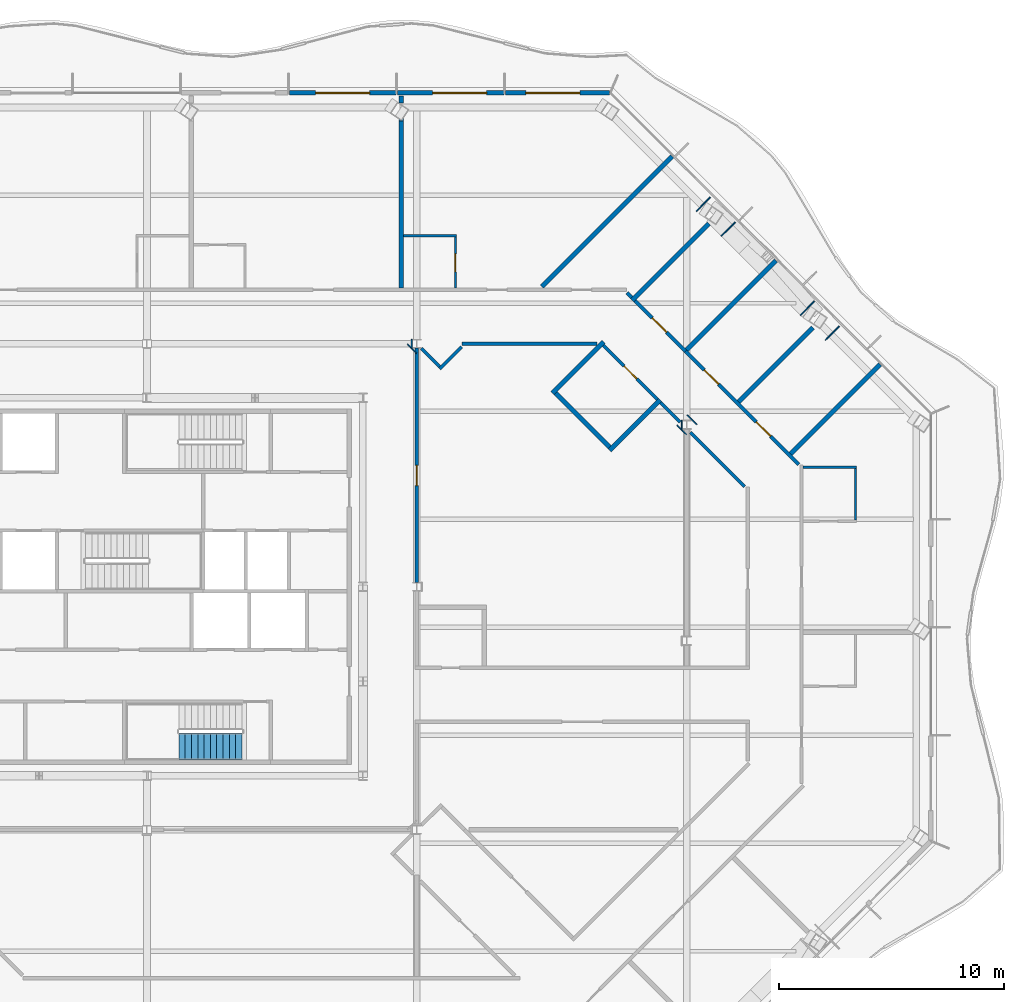
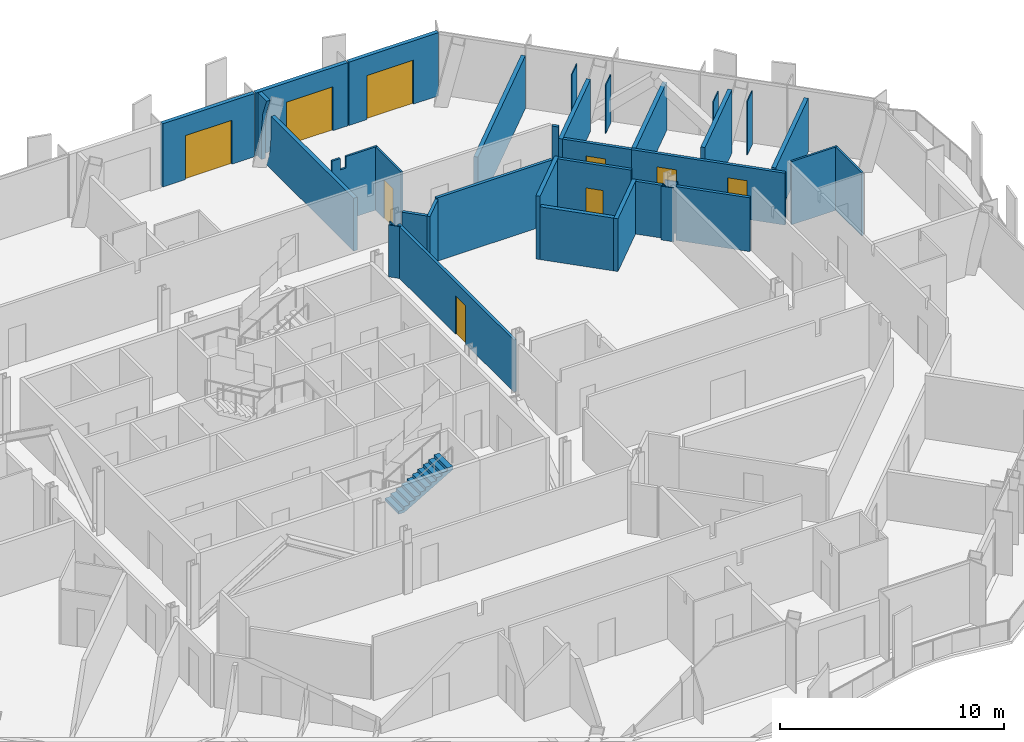
# One storey, part 13 of 19: 36 walls, 9 doors, 1 stair flight, 9 openings, 1 element without a shape of its own.
"""IFC4 building model written with IfcOpenShell, lengths in metres."""

from ifc_helpers import new_model, si_unit, direction, frame, frame_2d, origin, place, context, subcontext, project, spatial, polyline, rectangle, outline, extrude, material, layer, layer_set, type_object, element, fill, aggregate, save


model = new_model("IFC4")

# Units and contexts
model_context = context("Model", 3, precision=1e-05, world=origin(), true_north=direction((0.0, 1.0)))
body_context = subcontext(model_context, "Body", "Model", "MODEL_VIEW")
ifc_project = project(units=[si_unit("LENGTHUNIT", "METRE"), si_unit("AREAUNIT", "SQUARE_METRE"), si_unit("VOLUMEUNIT", "CUBIC_METRE"), si_unit("PLANEANGLEUNIT", "RADIAN"), si_unit("MASSUNIT", "GRAM", prefix="KILO")], contexts=[model_context])

# Site, building, storey
site_placement = place(None, origin())
site = spatial("IfcSite", under=ifc_project, at=site_placement, CompositionType="ELEMENT")
building_placement = place(site_placement, origin())
building = spatial("IfcBuilding", under=site, at=building_placement, Name="Cairn Pilgrim Tower", CompositionType="ELEMENT")
storey_placement = place(building_placement, frame((0.0, 0.0, 193.800048828125)))
storey = spatial("IfcBuildingStorey", under=building, at=storey_placement, Name="L49", CompositionType="ELEMENT", Elevation=193.800048828125)

# Wall, opening, door
ifc_material_1 = material(Name="Bronze anodised aluminium insulated sandwich panel with mineral wool fill", Category="aluminium")
ifc_layer_1 = layer(ifc_material_1, 0.199951171875)
ifc_layer_set_1 = layer_set([ifc_layer_1], Name="BRONZE INFILL FRAME WALL 200")
wall_type_1 = type_object("IfcWallType", Name="BRONZE INFILL FRAME WALL 200", PredefinedType="NOTDEFINED", material=ifc_layer_set_1)
wall_1_placement = place(storey_placement, frame((27.75634765625, 24.35009765625, 0.0), z_axis=(0.0, 0.0, 1.0), x_axis=(-1.0, 0.0, 0.0)))
wall_1 = element("IfcWall", 1, at=wall_1_placement, inside=storey, type_object=wall_type_1, Name="Bronze infill frame wall IW-N1", PredefinedType="NOTDEFINED", context=body_context, shape_type="SweptSolid", body=[
    extrude(rectangle(XDim=4.62646484375, YDim=0.199951171875, at=frame_2d((2.313232421875, 0.0))), origin(), (0.0, 0.0, 1.0), 3.449951171875),
])
opening_1_placement = place(wall_1_placement, frame((1.308349609375, 0.0, 0.0)))
opening_1 = element("IfcOpeningElement", 2, at=opening_1_placement, cuts=wall_1, Name="Opening 4910B", PredefinedType="OPENING", context=body_context, shape_type="SweptSolid", body=[
    extrude(rectangle(XDim=2.39990234375, YDim=2.39990234375, at=frame_2d((1.199951171875, 1.199951171875))), frame((0.0, 0.10986328125, 0.0), z_axis=(0.0, -1.0, 0.0), x_axis=(1.0, 0.0, 0.0)), (0.0, 0.0, 1.0), 0.219970703125),
])
ifc_material_2 = material(Name="Bronze anodised aluminium frame with tinted low-E glass", Category="aluminium")
door_type_1 = type_object("IfcDoorType", Name="BALCONY SLIDING DOOR 2400x2400", OperationType="DOUBLE_DOOR_SLIDING", PredefinedType="DOOR", material=ifc_material_2)
door_1_placement = place(opening_1_placement, origin())
door_1 = element("IfcDoor", 3, at=door_1_placement, inside=storey, type_object=door_type_1, Name="Balcony sliding door 4910B", OperationType="SINGLE_SWING_LEFT", OverallHeight=2.39990234375, OverallWidth=2.39990234375, PredefinedType="DOOR", context=body_context, shape_type="SweptSolid", body=[
    extrude(rectangle(XDim=2.39990234375, YDim=2.39990234375, at=frame_2d((1.199951171875, 1.199951171875))), frame((0.0, 0.02490234375, 0.0), z_axis=(0.0, -1.0, 0.0), x_axis=(1.0, 0.0, 0.0)), (0.0, 0.0, 1.0), 0.050048828125),
])
fill(opening_1, door_1)

wall_2_placement = place(storey_placement, frame((23.070068359375, 24.35009765625, 0.0), z_axis=(0.0, 0.0, 1.0), x_axis=(-1.0, 0.0, 0.0)))
wall_2 = element("IfcWall", 4, at=wall_2_placement, inside=storey, type_object=wall_type_1, Name="Bronze infill frame wall IW-N2", PredefinedType="NOTDEFINED", context=body_context, shape_type="SweptSolid", body=[
    extrude(rectangle(XDim=4.739990234375, YDim=0.199951171875, at=frame_2d((2.3701171875, 0.0))), origin(), (0.0, 0.0, 1.0), 3.449951171875),
])
opening_2_placement = place(wall_2_placement, frame((0.77001953125, 0.0, 0.0)))
opening_2 = element("IfcOpeningElement", 5, at=opening_2_placement, cuts=wall_2, Name="Opening 4910B2", PredefinedType="OPENING", context=body_context, shape_type="SweptSolid", body=[
    extrude(rectangle(XDim=2.39990234375, YDim=2.39990234375, at=frame_2d((1.199951171875, 1.199951171875))), frame((0.0, 0.10986328125, 0.0), z_axis=(0.0, -1.0, 0.0), x_axis=(1.0, 0.0, 0.0)), (0.0, 0.0, 1.0), 0.219970703125),
])
door_2_placement = place(opening_2_placement, origin())
door_2 = element("IfcDoor", 6, at=door_2_placement, inside=storey, type_object=door_type_1, Name="Balcony sliding door 4910B2", OperationType="SINGLE_SWING_LEFT", OverallHeight=2.39990234375, OverallWidth=2.39990234375, PredefinedType="DOOR", context=body_context, shape_type="SweptSolid", body=[
    extrude(rectangle(XDim=2.39990234375, YDim=2.39990234375, at=frame_2d((1.199951171875, 1.199951171875))), frame((0.0, 0.02490234375, 0.0), z_axis=(0.0, -1.0, 0.0), x_axis=(1.0, 0.0, 0.0)), (0.0, 0.0, 1.0), 0.050048828125),
])
fill(opening_2, door_2)

wall_3_placement = place(storey_placement, frame((18.27001953125, 24.35009765625, 0.0), z_axis=(0.0, 0.0, 1.0), x_axis=(-1.0, 0.0, 0.0)))
wall_3 = element("IfcWall", 7, at=wall_3_placement, inside=storey, type_object=wall_type_1, Name="Bronze infill frame wall IW-N3", PredefinedType="NOTDEFINED", context=body_context, shape_type="SweptSolid", body=[
    extrude(rectangle(XDim=4.739990234375, YDim=0.199951171875, at=frame_2d((2.3701171875, 0.0))), origin(), (0.0, 0.0, 1.0), 3.449951171875),
])
opening_3_placement = place(wall_3_placement, frame((1.169921875, 0.0, 0.0)))
opening_3 = element("IfcOpeningElement", 8, at=opening_3_placement, cuts=wall_3, Name="Opening 4911B", PredefinedType="OPENING", context=body_context, shape_type="SweptSolid", body=[
    extrude(rectangle(XDim=2.39990234375, YDim=2.39990234375, at=frame_2d((1.199951171875, 1.199951171875))), frame((0.0, 0.10986328125, 0.0), z_axis=(0.0, -1.0, 0.0), x_axis=(1.0, 0.0, 0.0)), (0.0, 0.0, 1.0), 0.219970703125),
])
door_3_placement = place(opening_3_placement, origin())
door_3 = element("IfcDoor", 9, at=door_3_placement, inside=storey, type_object=door_type_1, Name="Balcony sliding door 4911B", OperationType="SINGLE_SWING_LEFT", OverallHeight=2.39990234375, OverallWidth=2.39990234375, PredefinedType="DOOR", context=body_context, shape_type="SweptSolid", body=[
    extrude(rectangle(XDim=2.39990234375, YDim=2.39990234375, at=frame_2d((1.199951171875, 1.199951171875))), frame((0.0, 0.02490234375, 0.0), z_axis=(0.0, -1.0, 0.0), x_axis=(1.0, 0.0, 0.0)), (0.0, 0.0, 1.0), 0.050048828125),
])
fill(opening_3, door_3)

# Walls
ifc_material_3 = material(Name="Gypsum partition")
ifc_layer_2 = layer(ifc_material_3, 0.10009765625)
ifc_layer_set_2 = layer_set([ifc_layer_2], Name="PARTITION 100 DRYWALL")
wall_type_2 = type_object("IfcWallType", Name="PARTITION 100 DRYWALL", PredefinedType="PARTITIONING", material=ifc_layer_set_2)
wall_4_placement = place(storey_placement, frame((38.699951171875, 5.364990234375, 0.0), z_axis=(0.0, 0.0, 1.0), x_axis=(0.0, 1.0, 0.0)))
element("IfcWall", 10, at=wall_4_placement, inside=storey, type_object=wall_type_2, Name="PARTITION W063", PredefinedType="PARTITIONING", context=body_context, shape_type="SweptSolid", body=[
    extrude(rectangle(XDim=2.300048828125, YDim=0.10009765625, at=frame_2d((1.14990234375, 0.0))), origin(), (0.0, 0.0, 1.0), 3.449951171875),
])
wall_5_placement = place(storey_placement, frame((36.375, 7.715087890625, 0.0), z_axis=(0.0, 0.0, 1.0), x_axis=(1.0, 0.0, 0.0)))
element("IfcWall", 11, at=wall_5_placement, inside=storey, type_object=wall_type_2, Name="PARTITION W066", PredefinedType="PARTITIONING", context=body_context, shape_type="SweptSolid", body=[
    extrude(rectangle(XDim=2.375, YDim=0.10009765625, at=frame_2d((1.1875, 0.0))), origin(), (0.0, 0.0, 1.0), 3.449951171875),
])

# Wall, opening, door
wall_6_placement = place(storey_placement, frame((20.9130859375, 15.675048828125, 0.0), z_axis=(0.0, 0.0, 1.0), x_axis=(0.0, 1.0, 0.0)))
wall_6 = element("IfcWall", 12, at=wall_6_placement, inside=storey, type_object=wall_type_2, Name="PARTITION W090", PredefinedType="PARTITIONING", context=body_context, shape_type="SweptSolid", body=[
    extrude(rectangle(XDim=2.27490234375, YDim=0.10009765625, at=frame_2d((1.137451171875, 0.0))), origin(), (0.0, 0.0, 1.0), 3.449951171875),
])
opening_4_placement = place(wall_6_placement, frame((0.72509765625, 0.0, 0.0)))
opening_4 = element("IfcOpeningElement", 13, at=opening_4_placement, cuts=wall_6, Name="Opening 4910A", PredefinedType="OPENING", context=body_context, shape_type="SweptSolid", body=[
    extrude(rectangle(XDim=0.800048828125, YDim=2.10009765625, at=frame_2d((0.39990234375, 1.050048828125))), frame((0.0, 0.06005859375, 0.0), z_axis=(0.0, -1.0, 0.0), x_axis=(1.0, 0.0, 0.0)), (0.0, 0.0, 1.0), 0.1201171875),
])
ifc_material_4 = material(Name="Timber door leaf", Category="wood")
door_type_2 = type_object("IfcDoorType", Name="WC DOOR 800x2100", OperationType="NOTDEFINED", PredefinedType="DOOR", material=ifc_material_4)
door_4_placement = place(opening_4_placement, frame((0.800048828125, 0.0, 0.0), z_axis=(0.0, 0.0, 1.0), x_axis=(-1.0, 0.0, 0.0)))
door_4 = element("IfcDoor", 14, at=door_4_placement, inside=storey, type_object=door_type_2, Name="DOOR 4910A", OperationType="SINGLE_SWING_LEFT", OverallHeight=2.10009765625, OverallWidth=0.800048828125, PredefinedType="DOOR", context=body_context, shape_type="SweptSolid", body=[
    extrude(rectangle(XDim=0.800048828125, YDim=2.10009765625, at=frame_2d((0.39990234375, 1.050048828125))), frame((0.0, 0.02490234375, 0.0), z_axis=(0.0, -1.0, 0.0), x_axis=(1.0, 0.0, 0.0)), (0.0, 0.0, 1.0), 0.050048828125),
])
fill(opening_4, door_4)

# Wall
wall_7_placement = place(storey_placement, frame((18.613037109375, 18.0, 0.0), z_axis=(0.0, 0.0, 1.0), x_axis=(1.0, 0.0, 0.0)))
element("IfcWall", 15, at=wall_7_placement, inside=storey, type_object=wall_type_2, Name="PARTITION W094", PredefinedType="PARTITIONING", context=body_context, shape_type="SweptSolid", body=[
    extrude(outline(polyline([(0.0, 0.0), (2.349853515625, 0.0), (2.35009765625, 3.449951171875), (0.737060546875, 3.449951171875), (0.735107421875, 2.829833984375), (0.43701171875, 2.829833984375), (0.43505859375, 3.449951171875), (0.0, 3.449951171875), (0.0, 0.0)])), frame((0.0, 0.050048828125, 0.0), z_axis=(0.0, -1.0, 0.0), x_axis=(1.0, 0.0, 0.0)), (0.0, 0.0, 1.0), 0.10009765625),
])

# Wall, opening, door
ifc_layer_3 = layer(ifc_material_3, 0.14990234375)
ifc_layer_set_3 = layer_set([ifc_layer_3], Name="PARTITION 150 DRYWALL EI 60")
wall_type_3 = type_object("IfcWallType", Name="PARTITION 150 DRYWALL EI 60", PredefinedType="PARTITIONING", material=ifc_layer_set_3)
wall_8_placement = place(storey_placement, frame((19.199951171875, 2.596435546875, 0.0), z_axis=(0.0, 0.0, 1.0), x_axis=(0.0, 1.0, 0.0)))
wall_8 = element("IfcWall", 16, at=wall_8_placement, inside=storey, type_object=wall_type_3, Name="PARTITION W059", PredefinedType="PARTITIONING", context=body_context, shape_type="SweptSolid", body=[
    extrude(rectangle(XDim=10.406982421875, YDim=0.14990234375, at=frame_2d((5.20361328125, 0.0))), origin(), (0.0, 0.0, 1.0), 2.829833984375),
])
opening_5_placement = place(wall_8_placement, frame((4.303466796875, 0.0, 0.0)))
opening_5 = element("IfcOpeningElement", 17, at=opening_5_placement, cuts=wall_8, Name="Opening 4927", PredefinedType="OPENING", context=body_context, shape_type="SweptSolid", body=[
    extrude(rectangle(XDim=0.89990234375, YDim=2.10009765625, at=frame_2d((0.449951171875, 1.050048828125))), frame((0.0, 0.0849609375, 0.0), z_axis=(0.0, -1.0, 0.0), x_axis=(1.0, 0.0, 0.0)), (0.0, 0.0, 1.0), 0.169921875),
])
door_type_3 = type_object("IfcDoorType", Name="SERVICE DOOR 900x2100 FD30S", OperationType="NOTDEFINED", PredefinedType="DOOR", material=ifc_material_4)
door_5_placement = place(opening_5_placement, frame((0.89990234375, 0.0, 0.0), z_axis=(0.0, 0.0, 1.0), x_axis=(-1.0, 0.0, 0.0)))
door_5 = element("IfcDoor", 18, at=door_5_placement, inside=storey, type_object=door_type_3, Name="DOOR 4927", OperationType="SINGLE_SWING_RIGHT", OverallHeight=2.10009765625, OverallWidth=0.89990234375, PredefinedType="DOOR", context=body_context, shape_type="SweptSolid", body=[
    extrude(rectangle(XDim=0.89990234375, YDim=2.10009765625, at=frame_2d((0.449951171875, 1.050048828125))), frame((0.0, 0.02490234375, 0.0), z_axis=(0.0, -1.0, 0.0), x_axis=(1.0, 0.0, 0.0)), (0.0, 0.0, 1.0), 0.050048828125),
])
fill(opening_5, door_5)

# Wall
wall_9_placement = place(storey_placement, frame((33.77197265625, 6.84912109375, 0.0), z_axis=(0.0, 0.0, 1.0), x_axis=(-0.707106781187, 0.707106781187, 0.0)))
element("IfcWall", 19, at=wall_9_placement, inside=storey, type_object=wall_type_3, Name="PARTITION W065", PredefinedType="PARTITIONING", context=body_context, shape_type="SweptSolid", body=[
    extrude(rectangle(XDim=3.4208984375, YDim=0.14990234375, at=frame_2d((1.71044921875, 0.0))), origin(), (0.0, 0.0, 1.0), 2.929931640625),
])

# Wall, openings, doors
wall_10_placement = place(storey_placement, frame((36.172119140625, 7.843017578125, 0.0), z_axis=(0.0, 0.0, 1.0), x_axis=(-0.70712393086, 0.707089631097, 0.0)))
wall_10 = element("IfcWall", 20, at=wall_10_placement, inside=storey, type_object=wall_type_3, Name="PARTITION W067", PredefinedType="PARTITIONING", context=body_context, shape_type="SweptSolid", body=[
    extrude(rectangle(XDim=7.117919921875, YDim=0.14990234375, at=frame_2d((3.55908203125, 0.0))), origin(), (0.0, 0.0, 1.0), 2.829833984375),
])
opening_6_placement = place(wall_10_placement, frame((1.762939453125, 0.0, 0.0)))
opening_6 = element("IfcOpeningElement", 21, at=opening_6_placement, cuts=wall_10, Name="Opening 4906", PredefinedType="OPENING", context=body_context, shape_type="SweptSolid", body=[
    extrude(rectangle(XDim=0.89990234375, YDim=2.10009765625, at=frame_2d((0.449951171875, 1.050048828125))), frame((0.0, 0.0849609375, 0.0), z_axis=(0.0, -1.0, 0.0), x_axis=(1.0, 0.0, 0.0)), (0.0, 0.0, 1.0), 0.169921875),
])
opening_7_placement = place(wall_10_placement, frame((5.03271484375, 0.0, 0.0)))
opening_7 = element("IfcOpeningElement", 22, at=opening_7_placement, cuts=wall_10, Name="Opening 4907", PredefinedType="OPENING", context=body_context, shape_type="SweptSolid", body=[
    extrude(rectangle(XDim=0.89990234375, YDim=2.10009765625, at=frame_2d((0.449951171875, 1.050048828125))), frame((0.0, 0.0849609375, 0.0), z_axis=(0.0, -1.0, 0.0), x_axis=(1.0, 0.0, 0.0)), (0.0, 0.0, 1.0), 0.169921875),
])
door_type_4 = type_object("IfcDoorType", Name="ROOM DOOR 900x2100 FD30S", OperationType="NOTDEFINED", PredefinedType="DOOR", material=ifc_material_4)
door_6_placement = place(opening_6_placement, frame((0.89990234375, 0.0, 0.0), z_axis=(0.0, 0.0, 1.0), x_axis=(-1.0, 0.0, 0.0)))
door_6 = element("IfcDoor", 23, at=door_6_placement, inside=storey, type_object=door_type_4, Name="DOOR 4906", OperationType="SINGLE_SWING_RIGHT", OverallHeight=2.10009765625, OverallWidth=0.89990234375, PredefinedType="DOOR", context=body_context, shape_type="SweptSolid", body=[
    extrude(rectangle(XDim=0.89990234375, YDim=2.10009765625, at=frame_2d((0.449951171875, 1.050048828125))), frame((0.0, 0.02490234375, 0.0), z_axis=(0.0, -1.0, 0.0), x_axis=(1.0, 0.0, 0.0)), (0.0, 0.0, 1.0), 0.050048828125),
])
fill(opening_6, door_6)
door_7_placement = place(opening_7_placement, frame((0.89990234375, 0.0, 0.0), z_axis=(0.0, 0.0, 1.0), x_axis=(-1.0, 0.0, 0.0)))
door_7 = element("IfcDoor", 24, at=door_7_placement, inside=storey, type_object=door_type_3, Name="DOOR 4907", OperationType="SINGLE_SWING_RIGHT", OverallHeight=2.10009765625, OverallWidth=0.89990234375, PredefinedType="DOOR", context=body_context, shape_type="SweptSolid", body=[
    extrude(rectangle(XDim=0.89990234375, YDim=2.10009765625, at=frame_2d((0.449951171875, 1.050048828125))), frame((0.0, 0.02490234375, 0.0), z_axis=(0.0, -1.0, 0.0), x_axis=(1.0, 0.0, 0.0)), (0.0, 0.0, 1.0), 0.050048828125),
])
fill(opening_7, door_7)

# Wall
wall_11_placement = place(storey_placement, frame((30.90185546875, 9.718994140625, 0.0), z_axis=(0.0, 0.0, 1.0), x_axis=(-0.707406212347, 0.706807223175, 0.0)))
element("IfcWall", 25, at=wall_11_placement, inside=storey, type_object=wall_type_3, Name="PARTITION W073", PredefinedType="PARTITIONING", context=body_context, shape_type="SweptSolid", body=[
    extrude(rectangle(XDim=1.22265625, YDim=0.14990234375, at=frame_2d((0.611328125, 0.0))), origin(), (0.0, 0.0, 1.0), 2.8798828125),
])

# Wall, opening, door
wall_12_placement = place(storey_placement, frame((29.895263671875, 10.724609375, 0.0), z_axis=(0.0, 0.0, 1.0), x_axis=(-0.706927244117, 0.707286272682, 0.0)))
wall_12 = element("IfcWall", 26, at=wall_12_placement, inside=storey, type_object=wall_type_3, Name="PARTITION W075", PredefinedType="PARTITIONING", context=body_context, shape_type="SweptSolid", body=[
    extrude(rectangle(XDim=3.39990234375, YDim=0.14990234375, at=frame_2d((1.699951171875, 0.0))), origin(), (0.0, 0.0, 1.0), 3.449951171875),
])
opening_8_placement = place(wall_12_placement, frame((1.300048828125, 0.0, 0.0)))
opening_8 = element("IfcOpeningElement", 27, at=opening_8_placement, cuts=wall_12, Name="Opening 4921", PredefinedType="OPENING", context=body_context, shape_type="SweptSolid", body=[
    extrude(rectangle(XDim=0.800048828125, YDim=2.10009765625, at=frame_2d((0.39990234375, 1.050048828125))), frame((0.0, 0.0849609375, 0.0), z_axis=(0.0, -1.0, 0.0), x_axis=(1.0, 0.0, 0.0)), (0.0, 0.0, 1.0), 0.169921875),
])
door_type_5 = type_object("IfcDoorType", Name="WC DOOR 800x2100 FD30S", OperationType="NOTDEFINED", PredefinedType="DOOR", material=ifc_material_4)
door_8_placement = place(opening_8_placement, origin())
door_8 = element("IfcDoor", 28, at=door_8_placement, inside=storey, type_object=door_type_5, Name="DOOR 4921", OperationType="SINGLE_SWING_RIGHT", OverallHeight=2.10009765625, OverallWidth=0.800048828125, PredefinedType="DOOR", context=body_context, shape_type="SweptSolid", body=[
    extrude(rectangle(XDim=0.800048828125, YDim=2.10009765625, at=frame_2d((0.39990234375, 1.050048828125))), frame((0.0, 0.02490234375, 0.0), z_axis=(0.0, -1.0, 0.0), x_axis=(1.0, 0.0, 0.0)), (0.0, 0.0, 1.0), 0.050048828125),
])
fill(opening_8, door_8)

# Walls
wall_13_placement = place(storey_placement, frame((20.2080078125, 12.0859375, 0.0), z_axis=(0.0, 0.0, 1.0), x_axis=(0.706756381459, 0.707457007363, 0.0)))
element("IfcWall", 29, at=wall_13_placement, inside=storey, type_object=wall_type_3, Name="PARTITION W077", PredefinedType="PARTITIONING", context=body_context, shape_type="SweptSolid", body=[
    extrude(rectangle(XDim=1.393798828125, YDim=0.14990234375, at=frame_2d((0.69677734375, 0.0))), origin(), (0.0, 0.0, 1.0), 3.449951171875),
])
wall_14_placement = place(storey_placement, frame((20.2080078125, 12.192138671875, 0.0), z_axis=(0.0, 0.0, 1.0), x_axis=(-0.70721334539, 0.707000200921, 0.0)))
element("IfcWall", 30, at=wall_14_placement, inside=storey, type_object=wall_type_3, Name="PARTITION W078", PredefinedType="PARTITIONING", context=body_context, shape_type="SweptSolid", body=[
    extrude(rectangle(XDim=1.1455078125, YDim=0.14990234375, at=frame_2d((0.57275390625, 0.0))), origin(), (0.0, 0.0, 1.0), 3.449951171875),
])

# Wall, opening, door
wall_15_placement = place(storey_placement, frame((31.138916015625, 12.8759765625, 0.0), z_axis=(0.0, 0.0, 1.0), x_axis=(-0.707260784618, 0.706952744207, 0.0)))
wall_15 = element("IfcWall", 31, at=wall_15_placement, inside=storey, type_object=wall_type_3, Name="PARTITION W079", PredefinedType="PARTITIONING", context=body_context, shape_type="SweptSolid", body=[
    extrude(rectangle(XDim=3.170166015625, YDim=0.14990234375, at=frame_2d((1.5849609375, 0.0))), origin(), (0.0, 0.0, 1.0), 2.829833984375),
])
opening_9_placement = place(wall_15_placement, frame((1.185302734375, 0.0, 0.0)))
opening_9 = element("IfcOpeningElement", 32, at=opening_9_placement, cuts=wall_15, Name="Opening 4908", PredefinedType="OPENING", context=body_context, shape_type="SweptSolid", body=[
    extrude(rectangle(XDim=0.89990234375, YDim=2.10009765625, at=frame_2d((0.449951171875, 1.050048828125))), frame((0.0, 0.0849609375, 0.0), z_axis=(0.0, -1.0, 0.0), x_axis=(1.0, 0.0, 0.0)), (0.0, 0.0, 1.0), 0.169921875),
])
door_9_placement = place(opening_9_placement, frame((0.89990234375, 0.0, 0.0), z_axis=(0.0, 0.0, 1.0), x_axis=(-1.0, 0.0, 0.0)))
door_9 = element("IfcDoor", 33, at=door_9_placement, inside=storey, type_object=door_type_3, Name="DOOR 4908", OperationType="SINGLE_SWING_RIGHT", OverallHeight=2.10009765625, OverallWidth=0.89990234375, PredefinedType="DOOR", context=body_context, shape_type="SweptSolid", body=[
    extrude(rectangle(XDim=0.89990234375, YDim=2.10009765625, at=frame_2d((0.449951171875, 1.050048828125))), frame((0.0, 0.02490234375, 0.0), z_axis=(0.0, -1.0, 0.0), x_axis=(1.0, 0.0, 0.0)), (0.0, 0.0, 1.0), 0.050048828125),
])
fill(opening_9, door_9)

# Walls
wall_16_placement = place(storey_placement, frame((21.215087890625, 13.199951171875, 0.0), z_axis=(0.0, 0.0, 1.0), x_axis=(1.0, 0.0, 0.0)))
element("IfcWall", 34, at=wall_16_placement, inside=storey, type_object=wall_type_3, Name="PARTITION W081", PredefinedType="PARTITIONING", context=body_context, shape_type="SweptSolid", body=[
    extrude(rectangle(XDim=5.989501953125, YDim=0.14990234375, at=frame_2d((2.99462890625, 0.0))), origin(), (0.0, 0.0, 1.0), 3.449951171875),
])
wall_17_placement = place(storey_placement, frame((28.75537109375, 15.2587890625, 0.0), z_axis=(0.0, 0.0, 1.0), x_axis=(-0.706295414481, 0.707917217959, 0.0)))
element("IfcWall", 35, at=wall_17_placement, inside=storey, type_object=wall_type_3, Name="PARTITION W084", PredefinedType="PARTITIONING", context=body_context, shape_type="SweptSolid", body=[
    extrude(rectangle(XDim=0.301025390625, YDim=0.14990234375, at=frame_2d((0.150390625, 0.0))), origin(), (0.0, 0.0, 1.0), 3.449951171875),
])
ifc_layer_4 = layer(ifc_material_3, 0.050048828125)
ifc_layer_set_4 = layer_set([ifc_layer_4], Name="PARTITION 50 DRYWALL EI 60")
wall_type_4 = type_object("IfcWallType", Name="PARTITION 50 DRYWALL EI 60", PredefinedType="PARTITIONING", material=ifc_layer_set_4)
wall_18_placement = place(storey_placement, frame((18.9755859375, 13.00341796875, 0.0), z_axis=(0.0, 0.0, 1.0), x_axis=(0.0, 1.0, 0.0)))
element("IfcWall", 36, at=wall_18_placement, inside=storey, type_object=wall_type_4, Name="COLUMN CASING WC17", PredefinedType="PARTITIONING", context=body_context, shape_type="SweptSolid", body=[
    extrude(rectangle(XDim=0.39306640625, YDim=0.050048828125, at=frame_2d((0.196533203125, 0.0))), origin(), (0.0, 0.0, 1.0), 2.829833984375),
])
wall_19_placement = place(storey_placement, frame((30.970458984375, 9.387451171875, 0.0), z_axis=(0.0, 0.0, 1.0), x_axis=(0.0, 1.0, 0.0)))
element("IfcWall", 37, at=wall_19_placement, inside=storey, type_object=wall_type_4, Name="COLUMN CASING WC19", PredefinedType="PARTITIONING", context=body_context, shape_type="SweptSolid", body=[
    extrude(rectangle(XDim=0.425048828125, YDim=0.050048828125, at=frame_2d((0.21240234375, 0.0))), origin(), (0.0, 0.0, 1.0), 2.8798828125),
])
wall_20_placement = place(storey_placement, frame((31.1826171875, 9.165283203125, 0.0), z_axis=(0.0, 0.0, 1.0), x_axis=(-0.707520656867, 0.70669266312, 0.0)))
element("IfcWall", 38, at=wall_20_placement, inside=storey, type_object=wall_type_4, Name="COLUMN CASING WC20", PredefinedType="PARTITIONING", context=body_context, shape_type="SweptSolid", body=[
    extrude(rectangle(XDim=0.589599609375, YDim=0.050048828125, at=frame_2d((0.294921875, 0.0))), origin(), (0.0, 0.0, 1.0), 2.929931640625),
])
wall_21_placement = place(storey_placement, frame((31.634765625, 9.617919921875, 0.0), z_axis=(0.0, 0.0, 1.0), x_axis=(-0.707520656867, 0.70669266312, 0.0)))
element("IfcWall", 39, at=wall_21_placement, inside=storey, type_object=wall_type_4, Name="COLUMN CASING WC21", PredefinedType="PARTITIONING", context=body_context, shape_type="SweptSolid", body=[
    extrude(rectangle(XDim=0.589599609375, YDim=0.050048828125, at=frame_2d((0.294921875, 0.0))), origin(), (0.0, 0.0, 1.0), 2.829833984375),
])
wall_22_placement = place(storey_placement, frame((37.360107421875, 13.365966796875, 0.0), z_axis=(0.0, 0.0, 1.0), x_axis=(0.707106781187, 0.707106781187, 0.0)))
element("IfcWall", 40, at=wall_22_placement, inside=storey, type_object=wall_type_4, Name="COLUMN CASING WC22", PredefinedType="PARTITIONING", context=body_context, shape_type="SweptSolid", body=[
    extrude(rectangle(XDim=0.867919921875, YDim=0.050048828125, at=frame_2d((0.43408203125, 0.0))), origin(), (0.0, 0.0, 1.0), 2.929931640625),
])
wall_23_placement = place(storey_placement, frame((36.252685546875, 14.473388671875, 0.0), z_axis=(0.0, 0.0, 1.0), x_axis=(0.706966105416, 0.707247428976, 0.0)))
element("IfcWall", 41, at=wall_23_placement, inside=storey, type_object=wall_type_4, Name="COLUMN CASING WC23", PredefinedType="PARTITIONING", context=body_context, shape_type="SweptSolid", body=[
    extrude(rectangle(XDim=0.867919921875, YDim=0.050048828125, at=frame_2d((0.43408203125, 0.0))), origin(), (0.0, 0.0, 1.0), 2.6298828125),
])
wall_24_placement = place(storey_placement, frame((19.182373046875, 12.786376953125, 0.0), z_axis=(0.0, 0.0, 1.0), x_axis=(-0.707106781187, 0.707106781187, 0.0)))
element("IfcWall", 42, at=wall_24_placement, inside=storey, type_object=wall_type_4, Name="COLUMN CASING WC24", PredefinedType="PARTITIONING", context=body_context, shape_type="SweptSolid", body=[
    extrude(rectangle(XDim=0.56005859375, YDim=0.050048828125, at=frame_2d((0.280029296875, 0.0))), origin(), (0.0, 0.0, 1.0), 2.829833984375),
])
wall_25_placement = place(storey_placement, frame((31.62841796875, 19.09765625, 0.0), z_axis=(0.0, 0.0, 1.0), x_axis=(0.707106781187, 0.707106781187, 0.0)))
element("IfcWall", 43, at=wall_25_placement, inside=storey, type_object=wall_type_4, Name="COLUMN CASING WC25", PredefinedType="PARTITIONING", context=body_context, shape_type="SweptSolid", body=[
    extrude(rectangle(XDim=0.867919921875, YDim=0.050048828125, at=frame_2d((0.43408203125, 0.0))), origin(), (0.0, 0.0, 1.0), 2.929931640625),
])
wall_26_placement = place(storey_placement, frame((32.73583984375, 17.989990234375, 0.0), z_axis=(0.0, 0.0, 1.0), x_axis=(0.707106781187, 0.707106781187, 0.0)))
element("IfcWall", 44, at=wall_26_placement, inside=storey, type_object=wall_type_4, Name="COLUMN CASING WC26", PredefinedType="PARTITIONING", context=body_context, shape_type="SweptSolid", body=[
    extrude(rectangle(XDim=0.867919921875, YDim=0.050048828125, at=frame_2d((0.43408203125, 0.0))), origin(), (0.0, 0.0, 1.0), 2.6298828125),
])
ifc_layer_5 = layer(ifc_material_3, 0.199951171875)
ifc_layer_set_5 = layer_set([ifc_layer_5], Name="SHAFT WALL 200 GYPSUM EI 60")
wall_type_5 = type_object("IfcWallType", Name="SHAFT WALL 200 GYPSUM EI 60", PredefinedType="PARTITIONING", material=ifc_layer_set_5)
wall_27_placement = place(storey_placement, frame((35.81591796875, 8.304931640625, 0.0), z_axis=(0.0, 0.0, 1.0), x_axis=(0.707193537431, 0.707020014296, 0.0)))
element("IfcWall", 45, at=wall_27_placement, inside=storey, type_object=wall_type_5, Name="PARTITION W068", PredefinedType="PARTITIONING", context=body_context, shape_type="SweptSolid", body=[
    extrude(rectangle(XDim=5.6279296875, YDim=0.199951171875, at=frame_2d((2.81396484375, 0.0))), origin(), (0.0, 0.0, 1.0), 2.929931640625),
])
wall_28_placement = place(storey_placement, frame((27.7744140625, 8.46240234375, 0.0), z_axis=(0.0, 0.0, 1.0), x_axis=(0.707106781187, 0.707106781187, 0.0)))
element("IfcWall", 46, at=wall_28_placement, inside=storey, type_object=wall_type_5, Name="PARTITION W069", PredefinedType="PARTITIONING", context=body_context, shape_type="SweptSolid", body=[
    extrude(rectangle(XDim=3.17431640625, YDim=0.199951171875, at=frame_2d((1.587158203125, 0.0))), origin(), (0.0, 0.0, 1.0), 2.8798828125),
])
wall_29_placement = place(storey_placement, frame((27.7744140625, 8.603759765625, 0.0), z_axis=(0.0, 0.0, 1.0), x_axis=(-0.707142675843, 0.707070884708, 0.0)))
element("IfcWall", 47, at=wall_29_placement, inside=storey, type_object=wall_type_5, Name="PARTITION W070", PredefinedType="PARTITIONING", context=body_context, shape_type="SweptSolid", body=[
    extrude(rectangle(XDim=3.400634765625, YDim=0.199951171875, at=frame_2d((1.7001953125, 0.0))), origin(), (0.0, 0.0, 1.0), 2.8798828125),
])
wall_30_placement = place(storey_placement, frame((33.50390625, 10.616943359375, 0.0), z_axis=(0.0, 0.0, 1.0), x_axis=(0.707028369139, 0.70718518454, 0.0)))
element("IfcWall", 48, at=wall_30_placement, inside=storey, type_object=wall_type_5, Name="PARTITION W074", PredefinedType="PARTITIONING", context=body_context, shape_type="SweptSolid", body=[
    extrude(rectangle(XDim=4.670654296875, YDim=0.199951171875, at=frame_2d((2.33544921875, 0.0))), origin(), (0.0, 0.0, 1.0), 3.449951171875),
])
wall_31_placement = place(storey_placement, frame((25.228271484375, 11.00830078125, 0.0), z_axis=(0.0, 0.0, 1.0), x_axis=(0.707296501544, 0.706917009913, 0.0)))
element("IfcWall", 49, at=wall_31_placement, inside=storey, type_object=wall_type_5, Name="PARTITION W076", PredefinedType="PARTITIONING", context=body_context, shape_type="SweptSolid", body=[
    extrude(rectangle(XDim=3.216796875, YDim=0.199951171875, at=frame_2d((1.6083984375, 0.0))), origin(), (0.0, 0.0, 1.0), 3.449951171875),
])
wall_32_placement = place(storey_placement, frame((31.19189453125, 12.928955078125, 0.0), z_axis=(0.0, 0.0, 1.0), x_axis=(0.70701981688, 0.707193734799, 0.0)))
element("IfcWall", 50, at=wall_32_placement, inside=storey, type_object=wall_type_5, Name="PARTITION W080", PredefinedType="PARTITIONING", context=body_context, shape_type="SweptSolid", body=[
    extrude(rectangle(XDim=5.614990234375, YDim=0.199951171875, at=frame_2d((2.8076171875, 0.0))), origin(), (0.0, 0.0, 1.0), 2.6298828125),
])
wall_33_placement = place(storey_placement, frame((28.77294921875, 15.135009765625, 0.0), z_axis=(0.0, 0.0, 1.0), x_axis=(0.707106781187, 0.707106781187, 0.0)))
element("IfcWall", 51, at=wall_33_placement, inside=storey, type_object=wall_type_5, Name="PARTITION W083", PredefinedType="PARTITIONING", context=body_context, shape_type="SweptSolid", body=[
    extrude(rectangle(XDim=4.821044921875, YDim=0.199951171875, at=frame_2d((2.41064453125, 0.0))), origin(), (0.0, 0.0, 1.0), 2.829833984375),
])
wall_34_placement = place(storey_placement, frame((18.512939453125, 15.675048828125, 0.0), z_axis=(0.0, 0.0, 1.0), x_axis=(0.0, 1.0, 0.0)))
element("IfcWall", 52, at=wall_34_placement, inside=storey, type_object=wall_type_5, Name="PARTITION W089", PredefinedType="PARTITIONING", context=body_context, shape_type="SweptSolid", body=[
    extrude(outline(polyline([(0.0, 0.0), (7.765625, 0.0), (7.478271484375, 0.862548828125), (7.372802734375, 1.724853515625), (7.372802734375, 2.58740234375), (7.372802734375, 2.8798828125), (0.0, 2.8798828125), (0.0, 2.58740234375), (0.0, 1.724853515625), (0.0, 0.862548828125), (0.0, 0.0)])), frame((0.0, 0.10009765625, 0.0), z_axis=(0.0, -1.0, 0.0), x_axis=(1.0, 0.0, 0.0)), (0.0, 0.0, 1.0), 0.199951171875),
])
wall_35_placement = place(storey_placement, frame((24.759765625, 15.74560546875, 0.0), z_axis=(0.0, 0.0, 1.0), x_axis=(0.707106781187, 0.707106781187, 0.0)))
element("IfcWall", 53, at=wall_35_placement, inside=storey, type_object=wall_type_5, Name="PARTITION W091", PredefinedType="PARTITIONING", context=body_context, shape_type="SweptSolid", body=[
    extrude(rectangle(XDim=8.1845703125, YDim=0.199951171875, at=frame_2d((4.09228515625, 0.0))), origin(), (0.0, 0.0, 1.0), 2.8798828125),
])
wall_36_placement = place(storey_placement, frame((18.512939453125, 23.44775390625, 0.0), z_axis=(0.0, 0.0, 1.0), x_axis=(0.0, 1.0, 0.0)))
element("IfcWall", 54, at=wall_36_placement, inside=storey, type_object=wall_type_5, Name="PARTITION W096", PredefinedType="PARTITIONING", context=body_context, shape_type="SweptSolid", body=[
    extrude(outline(polyline([(0.45458984375, 0.0), (0.772216796875, 0.0), (0.772216796875, 0.862548828125), (0.772216796875, 1.724853515625), (0.772216796875, 2.58740234375), (0.772216796875, 3.449951171875), (0.0, 3.449951171875), (0.330078125, 2.58740234375), (0.43798828125, 1.724853515625), (0.45458984375, 0.862548828125), (0.45458984375, 0.0)])), frame((0.0, 0.10009765625, 0.0), z_axis=(0.0, -1.0, 0.0), x_axis=(1.0, 0.0, 0.0)), (0.0, 0.0, 1.0), 0.199951171875),
])

# Stair, stair flight
ifc_material_5 = material(Name="Concrete C32/40", Category="concrete")
stair_type = type_object("IfcStairType", Name="EXIT STAIR 1200", PredefinedType="HALF_TURN_STAIR", material=ifc_material_5)
stair_placement = place(storey_placement, origin())
stair = element("IfcStair", 55, at=stair_placement, inside=storey, type_object=stair_type, Name="L49 Exit Stair A", PredefinedType="HALF_TURN_STAIR")
stair_flight_type = type_object("IfcStairFlightType", Name="STAIR FLIGHT 1200", PredefinedType="STRAIGHT", material=ifc_material_5)
stair_flight_placement = place(storey_placement, frame((8.625, -4.699951171875, 1.800048828125), z_axis=(0.0, 0.0, 1.0), x_axis=(1.0, 0.0, 0.0)))
stair_flight = element("IfcStairFlight", 56, at=stair_flight_placement, type_object=stair_flight_type, Name="ST-A flight 2", NumberOfRisers=11, NumberOfTreads=10, PredefinedType="STRAIGHT", RiserHeight=0.163636364, TreadLength=0.28, context=body_context, shape_type="SweptSolid", body=[
    extrude(outline(polyline([(0.0, 0.0), (0.0, 0.16357421875), (0.280029296875, 0.16357421875), (0.280029296875, 0.327392578125), (0.56005859375, 0.327392578125), (0.56005859375, 0.490966796875), (0.840087890625, 0.490966796875), (0.840087890625, 0.654541015625), (1.1201171875, 0.654541015625), (1.1201171875, 0.818115234375), (1.39990234375, 0.818115234375), (1.39990234375, 0.98193359375), (1.679931640625, 0.98193359375), (1.679931640625, 1.1455078125), (1.9599609375, 1.1455078125), (1.9599609375, 1.30908203125), (2.239990234375, 1.30908203125), (2.239990234375, 1.47265625), (2.52001953125, 1.47265625), (2.52001953125, 1.636474609375), (2.800048828125, 1.636474609375), (2.800048828125, 1.800048828125), (2.800048828125, 1.462646484375), (0.297119140625, 0.0), (0.0, 0.0)])), frame((0.0, 0.60009765625, 0.0), z_axis=(0.0, -1.0, 0.0), x_axis=(1.0, 0.0, 0.0)), (0.0, 0.0, 1.0), 1.199951171875),
])
aggregate(stair, [stair_flight])

save(model, "model.ifc")
